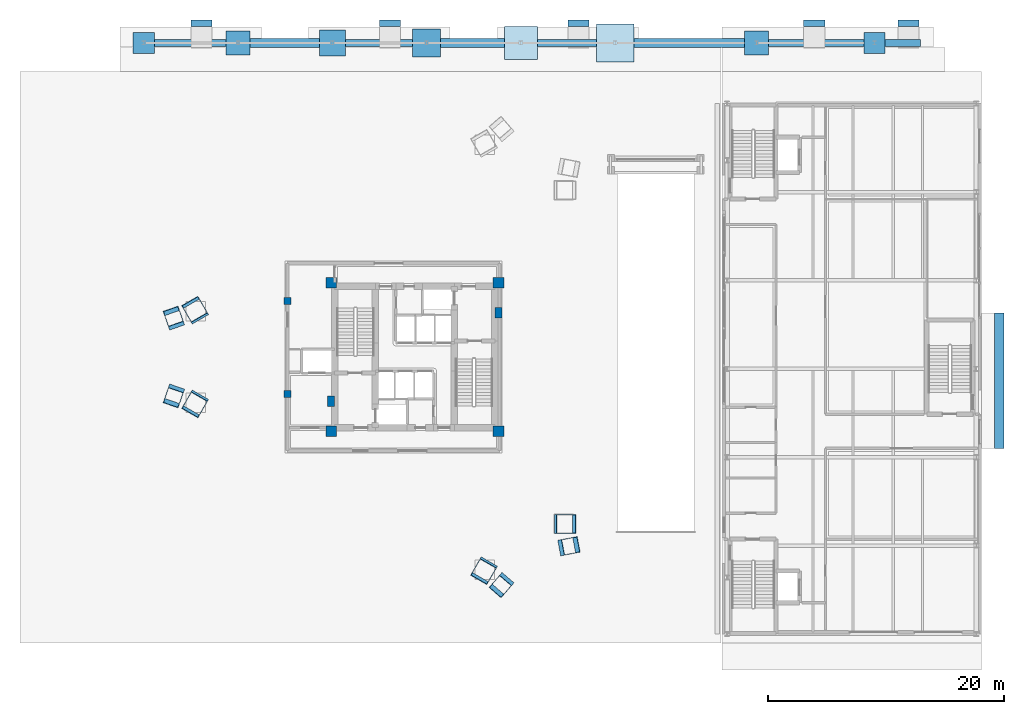
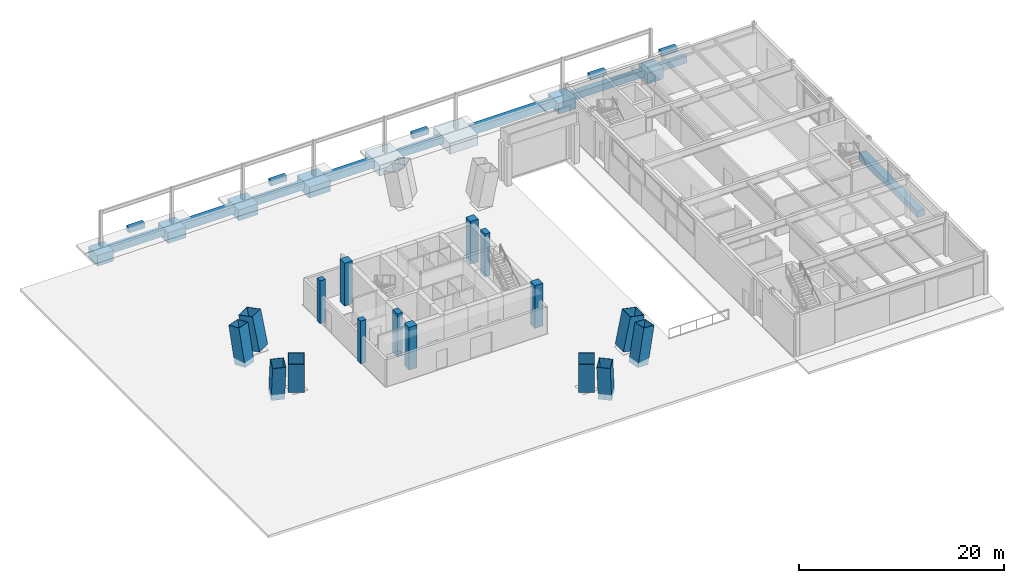
# One storey, part 1 of 21: 22 footings, 16 columns.
"""IFC4 building model written with IfcOpenShell, lengths in metres."""

from ifc_helpers import new_model, si_unit, direction, frame, origin, origin_2d, place, context, subcontext, project, spatial, polyline, rectangle, hollow_rectangle, outline, extrude, material, material_profile, profile_set, type_object, element, save


model = new_model("IFC4")

# Units and contexts
model_context = context("Model", 3, precision=1e-05, world=origin(), true_north=direction((0.0, 1.0)))
body_context = subcontext(model_context, "Body", "Model", "MODEL_VIEW")
ifc_project = project(units=[si_unit("LENGTHUNIT", "METRE"), si_unit("AREAUNIT", "SQUARE_METRE"), si_unit("VOLUMEUNIT", "CUBIC_METRE"), si_unit("PLANEANGLEUNIT", "RADIAN"), si_unit("MASSUNIT", "GRAM", prefix="KILO")], contexts=[model_context])

# Site, building, storey
site_placement = place(None, origin())
site = spatial("IfcSite", under=ifc_project, at=site_placement, CompositionType="ELEMENT")
building_placement = place(site_placement, origin())
building = spatial("IfcBuilding", under=site, at=building_placement, Name="Mersakhor Tower and Convention Hall", CompositionType="ELEMENT")
storey_placement = place(building_placement, origin())
storey = spatial("IfcBuildingStorey", under=building, at=storey_placement, Name="L00", CompositionType="ELEMENT", Elevation=0.0)

# Footings
ifc_material_1 = material(Name="Concrete C40/50", Category="concrete")
footing_type_1 = type_object("IfcFootingType", Name="FT-PAD-180", PredefinedType="PAD_FOOTING", material=ifc_material_1)
for number, where, z_axis, x_axis, name in (
    (1, (6.0, 53.39990234375, -1.60009765625), (0.0, 0.0, 1.0), (1.0, 0.0, 0.0), "Forecourt Canopy Footing PF-1"),
    (2, (68.0, 53.39990234375, -1.60009765625), (0.0, 0.0, 1.0), (1.0, 0.0, 0.0), "Forecourt Canopy Footing PF-8"),
):
    element("IfcFooting", number, at=place(storey_placement, frame(where, z_axis=z_axis, x_axis=x_axis)), inside=storey, type_object=footing_type_1, Name=name, PredefinedType="PAD_FOOTING", context=body_context, shape_type="SweptSolid", body=[
        extrude(rectangle(XDim=1.800048828125, YDim=1.800048828125, at=origin_2d()), origin(), (0.0, 0.0, 1.0), 1.300048828125),
    ])
ifc_material_2 = material(Name="Concrete C40/50", Category="concrete")
footing_type_2 = type_object("IfcFootingType", Name="FT-PAD-200", PredefinedType="PAD_FOOTING", material=ifc_material_2)
for number, where, z_axis, x_axis, name in (
    (3, (14.0, 53.39990234375, -1.60009765625), (0.0, 0.0, 1.0), (1.0, 0.0, 0.0), "Forecourt Canopy Footing PF-2"),
    (4, (58.0, 53.39990234375, -1.60009765625), (0.0, 0.0, 1.0), (1.0, 0.0, 0.0), "Forecourt Canopy Footing PF-7"),
):
    element("IfcFooting", number, at=place(storey_placement, frame(where, z_axis=z_axis, x_axis=x_axis)), inside=storey, type_object=footing_type_2, Name=name, PredefinedType="PAD_FOOTING", context=body_context, shape_type="SweptSolid", body=[
        extrude(rectangle(XDim=2.0, YDim=2.0, at=origin_2d()), origin(), (0.0, 0.0, 1.0), 1.300048828125),
    ])
ifc_material_3 = material(Name="Concrete C40/50", Category="concrete")
footing_type_3 = type_object("IfcFootingType", Name="FT-PAD-220", PredefinedType="PAD_FOOTING", material=ifc_material_3)
footing_1_placement = place(storey_placement, frame((22.0, 53.39990234375, -1.60009765625), z_axis=(0.0, 0.0, 1.0), x_axis=(1.0, 0.0, 0.0)))
element("IfcFooting", 5, at=footing_1_placement, inside=storey, type_object=footing_type_3, Name="Forecourt Canopy Footing PF-3", PredefinedType="PAD_FOOTING", context=body_context, shape_type="SweptSolid", body=[
    extrude(rectangle(XDim=2.199951171875, YDim=2.199951171875, at=origin_2d()), origin(), (0.0, 0.0, 1.0), 1.300048828125),
])
ifc_material_4 = material(Name="Concrete C40/50", Category="concrete")
footing_type_4 = type_object("IfcFootingType", Name="FT-PAD-240", PredefinedType="PAD_FOOTING", material=ifc_material_4)
footing_2_placement = place(storey_placement, frame((30.0, 53.39990234375, -1.60009765625), z_axis=(0.0, 0.0, 1.0), x_axis=(1.0, 0.0, 0.0)))
element("IfcFooting", 6, at=footing_2_placement, inside=storey, type_object=footing_type_4, Name="Forecourt Canopy Footing PF-4", PredefinedType="PAD_FOOTING", context=body_context, shape_type="SweptSolid", body=[
    extrude(rectangle(XDim=2.39990234375, YDim=2.39990234375, at=origin_2d()), origin(), (0.0, 0.0, 1.0), 1.300048828125),
])
ifc_material_5 = material(Name="Concrete C40/50", Category="concrete")
footing_type_5 = type_object("IfcFootingType", Name="FT-PCAP-280", PredefinedType="PILE_CAP", material=ifc_material_5)
footing_3_placement = place(storey_placement, frame((38.0, 53.39990234375, -1.60009765625), z_axis=(0.0, 0.0, 1.0), x_axis=(1.0, 0.0, 0.0)))
element("IfcFooting", 7, at=footing_3_placement, inside=storey, type_object=footing_type_5, Name="Forecourt Canopy Footing PF-5", PredefinedType="PILE_CAP", context=body_context, shape_type="SweptSolid", body=[
    extrude(rectangle(XDim=2.800048828125, YDim=2.800048828125, at=origin_2d()), origin(), (0.0, 0.0, 1.0), 1.300048828125),
])
ifc_material_6 = material(Name="Concrete C40/50", Category="concrete")
footing_type_6 = type_object("IfcFootingType", Name="FT-PCAP-320", PredefinedType="PILE_CAP", material=ifc_material_6)
footing_4_placement = place(storey_placement, frame((46.0, 53.39990234375, -1.60009765625), z_axis=(0.0, 0.0, 1.0), x_axis=(1.0, 0.0, 0.0)))
element("IfcFooting", 8, at=footing_4_placement, inside=storey, type_object=footing_type_6, Name="Forecourt Canopy Footing PF-6", PredefinedType="PILE_CAP", context=body_context, shape_type="SweptSolid", body=[
    extrude(rectangle(XDim=3.199951171875, YDim=3.199951171875, at=origin_2d()), origin(), (0.0, 0.0, 1.0), 1.300048828125),
])
ifc_material_7 = material(Name="Concrete C40/50", Category="concrete")
footing_type_7 = type_object("IfcFootingType", Name="FT-STRIP-600", PredefinedType="STRIP_FOOTING", material=ifc_material_7)
footing_5_placement = place(storey_placement, frame((0.0, 0.0, -1.10009765625)))
element("IfcFooting", 9, at=footing_5_placement, inside=storey, type_object=footing_type_7, Name="Forecourt Ground Strip Footing SF-1", PredefinedType="STRIP_FOOTING", context=body_context, shape_type="SweptSolid", body=[
    extrude(outline(polyline([(6.89990234375, 53.10009765625), (6.89990234375, 53.699951171875), (13.0, 53.699951171875), (13.0, 53.10009765625), (6.89990234375, 53.10009765625)])), origin(), (0.0, 0.0, 1.0), 0.800048828125),
])
footing_6_placement = place(storey_placement, frame((0.0, 0.0, -1.10009765625)))
element("IfcFooting", 10, at=footing_6_placement, inside=storey, type_object=footing_type_7, Name="Forecourt Ground Strip Footing SF-3", PredefinedType="STRIP_FOOTING", context=body_context, shape_type="SweptSolid", body=[
    extrude(outline(polyline([(23.10009765625, 53.10009765625), (23.10009765625, 53.699951171875), (28.800048828125, 53.699951171875), (28.800048828125, 53.10009765625), (23.10009765625, 53.10009765625)])), origin(), (0.0, 0.0, 1.0), 0.800048828125),
])
footing_7_placement = place(storey_placement, frame((0.0, 0.0, -1.10009765625)))
element("IfcFooting", 11, at=footing_7_placement, inside=storey, type_object=footing_type_7, Name="Forecourt Ground Strip Footing SF-5", PredefinedType="STRIP_FOOTING", context=body_context, shape_type="SweptSolid", body=[
    extrude(outline(polyline([(39.39990234375, 53.10009765625), (39.39990234375, 53.699951171875), (44.39990234375, 53.699951171875), (44.39990234375, 53.10009765625), (39.39990234375, 53.10009765625)])), origin(), (0.0, 0.0, 1.0), 0.800048828125),
])
footing_8_placement = place(storey_placement, frame((0.0, 0.0, -1.10009765625)))
element("IfcFooting", 12, at=footing_8_placement, inside=storey, type_object=footing_type_7, Name="Forecourt Ground Strip Footing SF-7", PredefinedType="STRIP_FOOTING", context=body_context, shape_type="SweptSolid", body=[
    extrude(outline(polyline([(59.0, 53.10009765625), (59.0, 53.699951171875), (67.10009765625, 53.699951171875), (67.10009765625, 53.10009765625), (59.0, 53.10009765625)])), origin(), (0.0, 0.0, 1.0), 0.800048828125),
])
footing_9_placement = place(storey_placement, frame((0.0, 0.0, -0.75)))
element("IfcFooting", 13, at=footing_9_placement, inside=storey, type_object=footing_type_7, Name="Pedestrian Ramp Toe Strip Footing PRTF-1", PredefinedType="STRIP_FOOTING", context=body_context, shape_type="SweptSolid", body=[
    extrude(outline(polyline([(10.0, 54.800048828125), (10.0, 55.35009765625), (11.800048828125, 55.35009765625), (11.800048828125, 54.800048828125), (10.0, 54.800048828125)])), origin(), (0.0, 0.0, 1.0), 0.60009765625),
])
footing_10_placement = place(storey_placement, frame((0.0, 0.0, -0.75)))
element("IfcFooting", 14, at=footing_10_placement, inside=storey, type_object=footing_type_7, Name="Pedestrian Ramp Toe Strip Footing PRTF-2", PredefinedType="STRIP_FOOTING", context=body_context, shape_type="SweptSolid", body=[
    extrude(outline(polyline([(26.0, 54.800048828125), (26.0, 55.35009765625), (27.800048828125, 55.35009765625), (27.800048828125, 54.800048828125), (26.0, 54.800048828125)])), origin(), (0.0, 0.0, 1.0), 0.60009765625),
])
footing_11_placement = place(storey_placement, frame((0.0, 0.0, -0.75)))
element("IfcFooting", 15, at=footing_11_placement, inside=storey, type_object=footing_type_7, Name="Pedestrian Ramp Toe Strip Footing PRTF-3", PredefinedType="STRIP_FOOTING", context=body_context, shape_type="SweptSolid", body=[
    extrude(outline(polyline([(42.0, 54.800048828125), (42.0, 55.35009765625), (43.800048828125, 55.35009765625), (43.800048828125, 54.800048828125), (42.0, 54.800048828125)])), origin(), (0.0, 0.0, 1.0), 0.60009765625),
])
footing_12_placement = place(storey_placement, frame((0.0, 0.0, -0.75)))
element("IfcFooting", 16, at=footing_12_placement, inside=storey, type_object=footing_type_7, Name="Pedestrian Ramp Toe Strip Footing PRTF-4", PredefinedType="STRIP_FOOTING", context=body_context, shape_type="SweptSolid", body=[
    extrude(outline(polyline([(62.0, 54.800048828125), (62.0, 55.35009765625), (63.800048828125, 55.35009765625), (63.800048828125, 54.800048828125), (62.0, 54.800048828125)])), origin(), (0.0, 0.0, 1.0), 0.60009765625),
])
footing_13_placement = place(storey_placement, frame((0.0, 0.0, -0.75)))
element("IfcFooting", 17, at=footing_13_placement, inside=storey, type_object=footing_type_7, Name="Pedestrian Ramp Toe Strip Footing PRTF-5", PredefinedType="STRIP_FOOTING", context=body_context, shape_type="SweptSolid", body=[
    extrude(outline(polyline([(70.0, 54.800048828125), (70.0, 55.35009765625), (71.800048828125, 55.35009765625), (71.800048828125, 54.800048828125), (70.0, 54.800048828125)])), origin(), (0.0, 0.0, 1.0), 0.60009765625),
])
footing_14_placement = place(storey_placement, frame((0.0, 0.0, -1.10009765625)))
element("IfcFooting", 18, at=footing_14_placement, inside=storey, type_object=footing_type_7, Name="Pedestrian Ramp Head Strip Footing PRHF-5", PredefinedType="STRIP_FOOTING", context=body_context, shape_type="SweptSolid", body=[
    extrude(outline(polyline([(68.89990234375, 53.10009765625), (68.89990234375, 53.699951171875), (71.89990234375, 53.699951171875), (71.89990234375, 53.10009765625), (68.89990234375, 53.10009765625)])), origin(), (0.0, 0.0, 1.0), 0.800048828125),
])
ifc_material_8 = material(Name="Concrete C40/50", Category="concrete")
footing_type_8 = type_object("IfcFootingType", Name="FT-STRIP-750", PredefinedType="STRIP_FOOTING", material=ifc_material_8)
footing_15_placement = place(storey_placement, frame((0.0, 0.0, -1.199951171875)))
element("IfcFooting", 19, at=footing_15_placement, inside=storey, type_object=footing_type_8, Name="Forecourt Ground Strip Footing SF-2", PredefinedType="STRIP_FOOTING", context=body_context, shape_type="SweptSolid", body=[
    extrude(outline(polyline([(15.0, 53.02490234375), (15.0, 53.77490234375), (20.89990234375, 53.77490234375), (20.89990234375, 53.02490234375), (15.0, 53.02490234375)])), origin(), (0.0, 0.0, 1.0), 0.89990234375),
])
footing_16_placement = place(storey_placement, frame((0.0, 0.0, -1.199951171875)))
element("IfcFooting", 20, at=footing_16_placement, inside=storey, type_object=footing_type_8, Name="Forecourt Ground Strip Footing SF-4", PredefinedType="STRIP_FOOTING", context=body_context, shape_type="SweptSolid", body=[
    extrude(outline(polyline([(31.199951171875, 53.02490234375), (31.199951171875, 53.77490234375), (36.60009765625, 53.77490234375), (36.60009765625, 53.02490234375), (31.199951171875, 53.02490234375)])), origin(), (0.0, 0.0, 1.0), 0.89990234375),
])
footing_17_placement = place(storey_placement, frame((0.0, 0.0, -1.199951171875)))
element("IfcFooting", 21, at=footing_17_placement, inside=storey, type_object=footing_type_8, Name="Forecourt Ground Strip Footing SF-6", PredefinedType="STRIP_FOOTING", context=body_context, shape_type="SweptSolid", body=[
    extrude(outline(polyline([(47.60009765625, 53.02490234375), (47.60009765625, 53.77490234375), (57.0, 53.77490234375), (57.0, 53.02490234375), (47.60009765625, 53.02490234375)])), origin(), (0.0, 0.0, 1.0), 0.89990234375),
])
footing_18_placement = place(storey_placement, frame((0.0, 0.0, -1.10009765625)))
element("IfcFooting", 22, at=footing_18_placement, inside=storey, type_object=footing_type_8, Name="Convention East Exit Apron Strip Footing SF-AE", PredefinedType="STRIP_FOOTING", context=body_context, shape_type="SweptSolid", body=[
    extrude(outline(polyline([(78.199951171875, 19.0), (78.199951171875, 30.5), (79.0, 30.5), (79.0, 19.0), (78.199951171875, 19.0)])), origin(), (0.0, 0.0, 1.0), 0.800048828125),
])

# Columns
ifc_material_9 = material(Name="Concrete C70/85 in S460M steel box", Category="concrete")
ifc_material_profile_1 = material_profile(ifc_material_9, hollow_rectangle(XDim=1.35009765625, YDim=1.35009765625, WallThickness=0.035888671875, at=origin_2d()), Name="SHS 1350x1350x36")
ifc_profile_set_1 = profile_set([ifc_material_profile_1], Name="Concrete C70/85 in S460M steel box")
column_type_1 = type_object("IfcColumnType", Name="COL-CFT-1350", PredefinedType="COLUMN", material=ifc_profile_set_1)
column_1_placement = place(storey_placement, frame((8.614013671875, 29.884521484375, -0.64990234375), z_axis=(-0.059078383319, 0.169615694912, 0.983737902423), x_axis=(-0.944355706627, -0.328925978545, 0.0)))
element("IfcColumn", 23, at=column_1_placement, inside=storey, type_object=column_type_1, Name="L00 Sloping Pilotis Y-Branch Mega-Column PIL-YBR-F1-A", PredefinedType="COLUMN", context=body_context, shape_type="SweptSolid", body=[
    extrude(hollow_rectangle(XDim=1.35009765625, YDim=1.35009765625, WallThickness=0.035888671875, at=origin_2d()), origin(), (0.0, 0.0, 1.0), 4.421875),
])
column_2_placement = place(storey_placement, frame((41.907470703125, 10.66259765625, -0.64990234375), z_axis=(0.176407802861, 0.033625149278, 0.983742667788), x_axis=(-0.187239258917, 0.982314338652, 0.0)))
element("IfcColumn", 24, at=column_2_placement, inside=storey, type_object=column_type_1, Name="L00 Sloping Pilotis Y-Branch Mega-Column PIL-YBR-F2-B", PredefinedType="COLUMN", context=body_context, shape_type="SweptSolid", body=[
    extrude(hollow_rectangle(XDim=1.35009765625, YDim=1.35009765625, WallThickness=0.035888671875, at=origin_2d()), origin(), (0.0, 0.0, 1.0), 4.421630859375),
])
for number, where, z_axis, x_axis, name in (
    (25, (36.478515625, 7.528076171875, -0.64990234375), (-0.117328581098, -0.135990727174, 0.983738037376), (0.757147785322, -0.653243623147, 0.0), "L00 Sloping Pilotis Y-Branch Mega-Column PIL-YBR-F3-A"),
    (26, (8.614013671875, 23.615478515625, -0.64990234375), (-0.059078383319, -0.169615694912, 0.983737902423), (0.944355706627, -0.328925978545, 0.0), "L00 Sloping Pilotis Y-Branch Mega-Column PIL-YBR-F3-B"),
):
    element("IfcColumn", number, at=place(storey_placement, frame(where, z_axis=z_axis, x_axis=x_axis)), inside=storey, type_object=column_type_1, Name=name, PredefinedType="COLUMN", context=body_context, shape_type="SweptSolid", body=[
        extrude(hollow_rectangle(XDim=1.35009765625, YDim=1.35009765625, WallThickness=0.035888671875, at=origin_2d()), origin(), (0.0, 0.0, 1.0), 4.421875),
    ])
ifc_material_10 = material(Name="Concrete C70/85 in S460M steel box", Category="concrete")
ifc_material_profile_2 = material_profile(ifc_material_10, hollow_rectangle(XDim=1.60009765625, YDim=1.60009765625, WallThickness=0.0400390625, at=origin_2d()), Name="SHS 1600x1600x40")
ifc_profile_set_2 = profile_set([ifc_material_profile_2], Name="Concrete C70/85 in S460M steel box")
column_type_2 = type_object("IfcColumnType", Name="COL-CFT-1600", PredefinedType="COLUMN", material=ifc_profile_set_2)
for number, where, z_axis, x_axis, name in (
    (27, (10.416748046875, 30.6279296875, 0.18994140625), (-0.100257715517, 0.173600608077, 0.979699555657), (-0.865961984968, -0.500109828528, 0.0), "L00 Sloping Pilotis Mega-Column PIL-F1-1"),
    (28, (41.64990234375, 12.595458984375, 0.18994140625), (0.200454949536, 0.0, 0.979702920893), (0.0, 1.0, 0.0), "L00 Sloping Pilotis Mega-Column PIL-F2-2"),
    (29, (34.933349609375, 8.71728515625, 0.18994140625), (-0.100258779999, -0.173541280572, 0.979709957574), (0.865885638426, -0.500242002602, 0.0), "L00 Sloping Pilotis Mega-Column PIL-F3-1"),
    (30, (10.416748046875, 22.8720703125, 0.18994140625), (-0.100257715517, -0.173600608077, 0.979699555657), (0.865961984968, -0.500109828528, 0.0), "L00 Sloping Pilotis Mega-Column PIL-F3-2"),
):
    element("IfcColumn", number, at=place(storey_placement, frame(where, z_axis=z_axis, x_axis=x_axis)), inside=storey, type_object=column_type_2, Name=name, PredefinedType="COLUMN", context=body_context, shape_type="SweptSolid", body=[
        extrude(hollow_rectangle(XDim=1.60009765625, YDim=1.60009765625, WallThickness=0.0400390625, at=origin_2d()), origin(), (0.0, 0.0, 1.0), 3.9912109375),
    ])
ifc_material_11 = material(Name="Concrete C50/60", Category="concrete")
ifc_material_profile_3 = material_profile(ifc_material_11, rectangle(XDim=0.60009765625, YDim=0.60009765625, at=origin_2d()), Name="RC 600x600")
ifc_profile_set_3 = profile_set([ifc_material_profile_3], Name="Concrete C50/60")
column_type_3 = type_object("IfcColumnType", Name="COL-RC-600", PredefinedType="COLUMN", material=ifc_profile_set_3)
for number, where, z_axis, x_axis, name in (
    (31, (18.199951171875, 23.60009765625, 0.0), (0.0, 0.0, 1.0), (1.0, 0.0, 0.0), "L00 Clinic Mezzanine West Column WPC-1"),
    (32, (18.199951171875, 31.5, 0.0), (0.0, 0.0, 1.0), (1.0, 0.0, 0.0), "L00 Clinic Mezzanine West Column WPC-2"),
):
    element("IfcColumn", number, at=place(storey_placement, frame(where, z_axis=z_axis, x_axis=x_axis)), inside=storey, type_object=column_type_3, Name=name, PredefinedType="COLUMN", context=body_context, shape_type="SweptSolid", body=[
        extrude(rectangle(XDim=0.60009765625, YDim=0.60009765625, at=origin_2d()), origin(), (0.0, 0.0, 1.0), 5.10009765625),
    ])
ifc_material_12 = material(Name="Concrete C60/75", Category="concrete")
ifc_material_profile_4 = material_profile(ifc_material_12, rectangle(XDim=0.89990234375, YDim=0.89990234375, at=origin_2d()), Name="RC 900x900")
ifc_profile_set_4 = profile_set([ifc_material_profile_4], Name="Concrete C60/75")
column_type_4 = type_object("IfcColumnType", Name="COL-RC-900", PredefinedType="COLUMN", material=ifc_profile_set_4)
for number, where, z_axis, x_axis, name in (
    (33, (21.89990234375, 20.449951171875, 0.0), (0.0, 0.0, 1.0), (1.0, 0.0, 0.0), "L00 Core Corner Column CC-1"),
    (34, (21.89990234375, 33.050048828125, 0.0), (0.0, 0.0, 1.0), (1.0, 0.0, 0.0), "L00 Core Corner Column CC-2"),
    (35, (36.10009765625, 33.050048828125, 0.0), (0.0, 0.0, 1.0), (1.0, 0.0, 0.0), "L00 Core Corner Column CC-3"),
    (36, (36.10009765625, 20.449951171875, 0.0), (0.0, 0.0, 1.0), (1.0, 0.0, 0.0), "L00 Core Corner Column CC-4"),
):
    element("IfcColumn", number, at=place(storey_placement, frame(where, z_axis=z_axis, x_axis=x_axis)), inside=storey, type_object=column_type_4, Name=name, PredefinedType="COLUMN", context=body_context, shape_type="SweptSolid", body=[
        extrude(rectangle(XDim=0.89990234375, YDim=0.89990234375, at=origin_2d()), origin(), (0.0, 0.0, 1.0), 5.10009765625),
    ])
ifc_material_13 = material(Name="Concrete C50/60", Category="concrete")
ifc_material_profile_5 = material_profile(ifc_material_13, rectangle(XDim=0.60009765625, YDim=0.89990234375, at=origin_2d()), Name="RC 600x900")
ifc_profile_set_5 = profile_set([ifc_material_profile_5], Name="Concrete C50/60")
column_type_5 = type_object("IfcColumnType", Name="PIL-RC-600x900", PredefinedType="PILASTER", material=ifc_profile_set_5)
for number, where, z_axis, x_axis, name in (
    (37, (21.89990234375, 23.0, 0.0), (0.0, 0.0, 1.0), (1.0, 0.0, 0.0), "L00 Core Wall Pilaster CP-1"),
    (38, (36.10009765625, 30.5, 0.0), (0.0, 0.0, 1.0), (1.0, 0.0, 0.0), "L00 Core Wall Pilaster CP-2"),
):
    element("IfcColumn", number, at=place(storey_placement, frame(where, z_axis=z_axis, x_axis=x_axis)), inside=storey, type_object=column_type_5, Name=name, PredefinedType="PILASTER", context=body_context, shape_type="SweptSolid", body=[
        extrude(rectangle(XDim=0.60009765625, YDim=0.89990234375, at=origin_2d()), origin(), (0.0, 0.0, 1.0), 5.10009765625),
    ])

save(model, "model.ifc")
